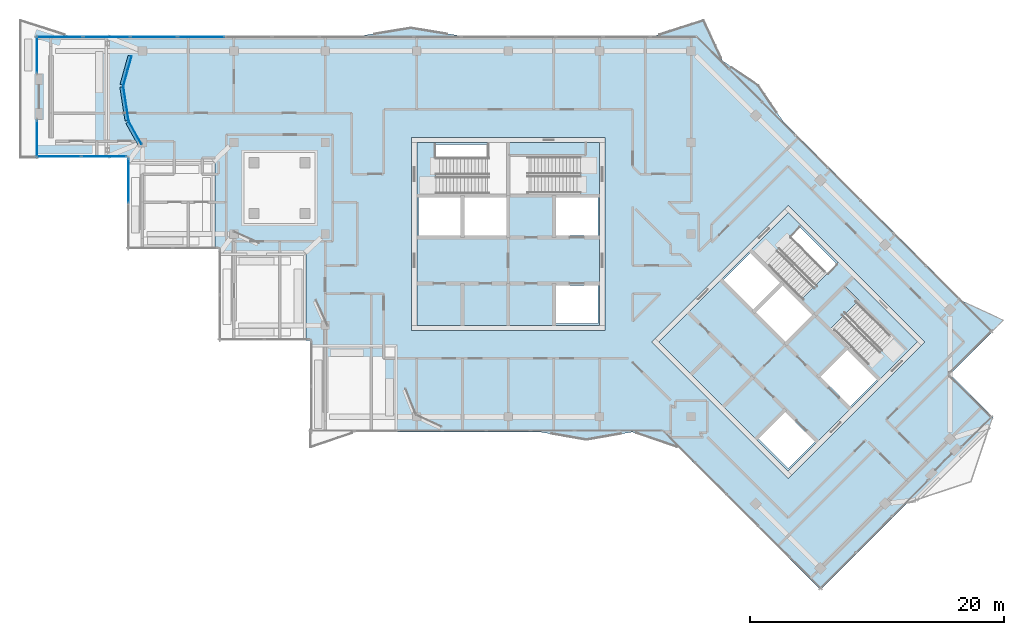
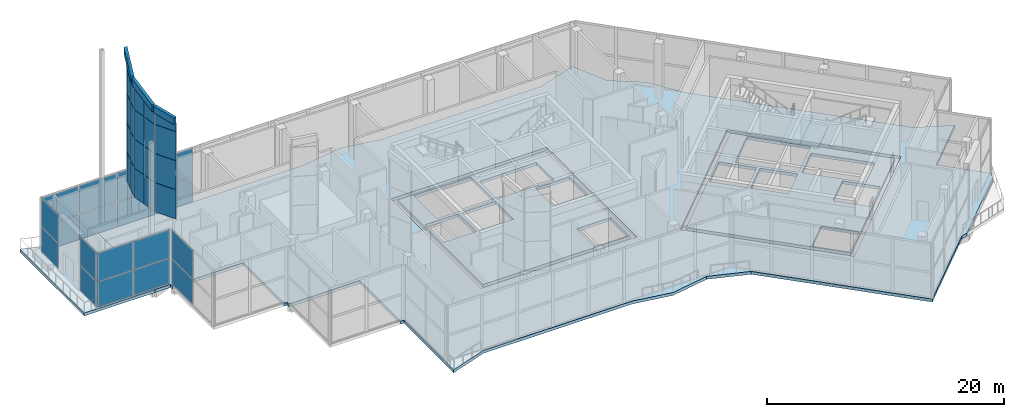
# One storey, part 10 of 19: 43 plates, 6 slabs, 14 openings, 10 elements without a shape of their own.
"""IFC4 building model written with IfcOpenShell, lengths in metres."""

import ifcopenshell
import ifcopenshell.guid

model = None  # the IFC model being written
_history = None  # IfcOwnerHistory: only IFC2X3 demands one
_inside = {}  # id of a spatial element -> (the spatial element, [elements in it])
_under = {}  # id of a project, library or spatial element -> (it, [spatial elements below it])
_declared = {}  # id of a project -> (the project, [libraries it declares])
_typed = {}  # id of a type object -> (the type object, [elements of that type])
_made_of = {}  # id of a material, layer set ... -> (it, [elements and type objects made of it])


def new_model(schema):
    """Start an empty IFC model of exactly this schema.

    Asked for "IFC4X3", IfcOpenShell would pick the latest addendum, in which some entities
    have other attributes; the version numbers below select the first issue.
    IFC2X3 requires an IfcOwnerHistory on every rooted entity: one is made here for all.
    """
    global model, _history
    if schema == "IFC4X3":
        model = ifcopenshell.file(schema_version=(4, 3, 0, 0))
    else:
        model = ifcopenshell.file(schema=schema)
    _inside.clear()
    _under.clear()
    _declared.clear()
    _typed.clear()
    _made_of.clear()
    _history = None
    if model.schema == "IFC2X3":
        org = make("IfcOrganization", Name="unknown")
        user = make(
            "IfcPersonAndOrganization",
            ThePerson=make("IfcPerson", FamilyName="unknown"),
            TheOrganization=org,
        )
        app = make(
            "IfcApplication",
            ApplicationDeveloper=org,
            Version="unknown",
            ApplicationFullName="unknown",
            ApplicationIdentifier="unknown",
        )
        _history = make(
            "IfcOwnerHistory",
            OwningUser=user,
            OwningApplication=app,
            ChangeAction="ADDED",
            CreationDate=0,
        )
    return model


def make(cls, **values):
    """One entity of the class cls with the attributes given. An attribute that is None is left unset."""
    return model.create_entity(
        cls, **{name: value for name, value in values.items() if value is not None}
    )


def rooted(cls, **values):
    """An entity with a GlobalId (a new one), such as an element, a storey or a relation."""
    return make(cls, GlobalId=ifcopenshell.guid.new(), OwnerHistory=_history, **values)


def si_unit(unit_type, name, prefix=None):
    """IfcSIUnit, for example si_unit("LENGTHUNIT", "METRE", prefix="MILLI")."""
    return make("IfcSIUnit", UnitType=unit_type, Prefix=prefix, Name=name)


def assignment(units):
    """IfcUnitAssignment: the units of a project."""
    return None if units is None else make("IfcUnitAssignment", Units=units)


def point(xyz):
    """IfcCartesianPoint."""
    return None if xyz is None else make("IfcCartesianPoint", Coordinates=xyz)


def direction(xyz):
    """IfcDirection."""
    return None if xyz is None else make("IfcDirection", DirectionRatios=xyz)


def frame(location, z_axis=None, x_axis=None):
    """IfcAxis2Placement3D, a coordinate frame: its origin and axes. An axis left out is left unset."""
    return make(
        "IfcAxis2Placement3D",
        Location=point(location),
        Axis=direction(z_axis),
        RefDirection=direction(x_axis),
    )


def frame_2d(location, x_axis=None):
    """IfcAxis2Placement2D, a coordinate frame in the plane: its origin and x axis."""
    return make(
        "IfcAxis2Placement2D", Location=point(location), RefDirection=direction(x_axis)
    )


def origin():
    """The frame at (0, 0, 0) with its axes left unset."""
    return frame((0.0, 0.0, 0.0))


def origin_2d():
    """The frame at (0, 0) in the plane with its x axis left unset."""
    return frame_2d((0.0, 0.0))


def place(relative_to, where):
    """IfcLocalPlacement: puts the frame where relative to a parent placement (None: the world)."""
    return make(
        "IfcLocalPlacement", PlacementRelTo=relative_to, RelativePlacement=where
    )


def context(
    kind, dimensions, precision=None, world=None, true_north=None, identifier=None
):
    """IfcGeometricRepresentationContext, for example the 3D "Model" context."""
    return make(
        "IfcGeometricRepresentationContext",
        ContextIdentifier=identifier,
        ContextType=kind,
        CoordinateSpaceDimension=dimensions,
        Precision=precision,
        WorldCoordinateSystem=world,
        TrueNorth=true_north,
    )


def subcontext(parent, identifier, kind, view, scale=None):
    """IfcGeometricRepresentationSubContext, for example "Body" below "Model"."""
    return make(
        "IfcGeometricRepresentationSubContext",
        ContextIdentifier=identifier,
        ContextType=kind,
        ParentContext=parent,
        TargetScale=scale,
        TargetView=view,
    )


def project(units=None, contexts=None):
    """IfcProject with its units and contexts."""
    return rooted(
        "IfcProject",
        Name="project",
        RepresentationContexts=contexts,
        UnitsInContext=assignment(units),
    )


def spatial(cls, under=None, at=None, **own):
    """A site, building, storey or space (cls), placed at a placement, below another one or the project."""
    s = rooted(cls, ObjectPlacement=at, **own)
    if under is not None:
        _under.setdefault(under.id(), (under, []))[1].append(s)
    return s


def polyline(points):
    """IfcPolyline through the points."""
    return make("IfcPolyline", Points=[point(p) for p in points])


def profile(cls, at=None, kind="AREA", **sizes):
    """A parametric profile (cls). Its sizes go by their IFC names, for example OverallWidth=200.0."""
    return make(cls, ProfileType=kind, Position=at, **sizes)


def rectangle(**sizes):
    """IfcRectangleProfileDef."""
    return profile("IfcRectangleProfileDef", **sizes)


def outline(outer, holes=None, kind="AREA"):
    """IfcArbitraryClosedProfileDef: a profile drawn as a closed curve; with holes, ...WithVoids."""
    if holes is None:
        return make("IfcArbitraryClosedProfileDef", ProfileType=kind, OuterCurve=outer)
    return make(
        "IfcArbitraryProfileDefWithVoids",
        ProfileType=kind,
        OuterCurve=outer,
        InnerCurves=holes,
    )


def extrude(swept, where, along, depth):
    """IfcExtrudedAreaSolid: the profile swept, set in the frame where, extruded along a direction by depth."""
    return make(
        "IfcExtrudedAreaSolid",
        SweptArea=swept,
        Position=where,
        ExtrudedDirection=direction(along),
        Depth=depth,
    )


def shape(context_of_items, identifier, shape_type, items):
    """IfcShapeRepresentation: the items that make up one representation, for example the "Body"."""
    return make(
        "IfcShapeRepresentation",
        ContextOfItems=context_of_items,
        RepresentationIdentifier=identifier,
        RepresentationType=shape_type,
        Items=items,
    )


def material(Name=None, Category=None):
    """IfcMaterial."""
    return make("IfcMaterial", Name=Name, Category=Category)


def layer(
    of_material, thickness, ventilated=None, Name=None, Category=None, Priority=None
):
    """IfcMaterialLayer: one layer of a wall or slab, of a material (None: an air gap)."""
    return make(
        "IfcMaterialLayer",
        Material=of_material,
        LayerThickness=thickness,
        IsVentilated=ventilated,
        Name=Name,
        Category=Category,
        Priority=Priority,
    )


def layer_set(layers, Name=None):
    """IfcMaterialLayerSet."""
    return make("IfcMaterialLayerSet", MaterialLayers=layers, LayerSetName=Name)


def made_of(thing, what):
    """Note that an element or type object is made of a material, layer set ...; save() writes the relation."""
    if what is not None:
        _made_of.setdefault(what.id(), (what, []))[1].append(thing)
    return thing


def type_object(cls, material=None, **own):
    """A type object (cls), such as IfcWallType, which elements share."""
    return made_of(rooted(cls, **own), material)


def element(
    cls,
    number,
    at=None,
    inside=None,
    cuts=None,
    type_object=None,
    material=None,
    context=None,
    identifier="Body",
    shape_type=None,
    held_by="IfcProductDefinitionShape",
    body=None,
    shapes=None,
    **own,
):
    """One element of the class cls, such as IfcWall. Its Tag is "e" and its number.

    at: its placement. inside: the storey or other place that contains it. cuts: it is an
    opening in that element (IfcRelVoidsElement). A single representation is given by context,
    identifier, shape_type and body (its items); several are given by shapes. held_by: the class
    of the entity that holds the representations. save() writes the other relations.
    """
    e = rooted(cls, Tag="e%d" % number, ObjectPlacement=at, **own)
    if body is not None:
        shapes = [shape(context, identifier, shape_type, body)]
    if shapes is not None:
        e.Representation = make(held_by, Representations=shapes)
    if inside is not None:
        _inside.setdefault(inside.id(), (inside, []))[1].append(e)
    if cuts is not None:
        rooted(
            "IfcRelVoidsElement", RelatingBuildingElement=cuts, RelatedOpeningElement=e
        )
    if type_object is not None:
        _typed.setdefault(type_object.id(), (type_object, []))[1].append(e)
    return made_of(e, material)


def aggregate(whole, parts):
    """IfcRelAggregates: a whole, such as a stair, and the parts it consists of."""
    return rooted("IfcRelAggregates", RelatingObject=whole, RelatedObjects=parts)


def save(model, path):
    """Write the relations noted so far, then the file.

    IfcRelAggregates (storeys below a building ...), IfcRelContainedInSpatialStructure (elements
    in a storey), IfcRelDefinesByType, IfcRelAssociatesMaterial and IfcRelDeclares: one each for
    every whole, place, type object, material and project.
    """
    for whole, parts in _under.values():
        aggregate(whole, parts)
    for where, things in _inside.values():
        rooted(
            "IfcRelContainedInSpatialStructure",
            RelatedElements=things,
            RelatingStructure=where,
        )
    for kind, things in _typed.values():
        rooted("IfcRelDefinesByType", RelatedObjects=things, RelatingType=kind)
    for what, things in _made_of.values():
        rooted("IfcRelAssociatesMaterial", RelatedObjects=things, RelatingMaterial=what)
    for by, libraries in _declared.values():
        rooted("IfcRelDeclares", RelatingContext=by, RelatedDefinitions=libraries)
    model.write(path)


model = new_model("IFC4")

# Units and contexts
model_context = context("Model", 3, precision=1e-05, world=origin(), true_north=direction((0.0, 1.0)))
body_context = subcontext(model_context, "Body", "Model", "MODEL_VIEW")
ifc_project = project(units=[si_unit("LENGTHUNIT", "METRE"), si_unit("AREAUNIT", "SQUARE_METRE"), si_unit("VOLUMEUNIT", "CUBIC_METRE"), si_unit("PLANEANGLEUNIT", "RADIAN"), si_unit("MASSUNIT", "GRAM", prefix="KILO")], contexts=[model_context])

# Site, building, storey
site_placement = place(None, origin())
site = spatial("IfcSite", under=ifc_project, at=site_placement, CompositionType="ELEMENT")
building_placement = place(site_placement, origin())
building = spatial("IfcBuilding", under=site, at=building_placement, Name="Windrow Commons", CompositionType="ELEMENT")
storey_placement = place(building_placement, frame((0.0, 0.0, 284.6)))
storey = spatial("IfcBuildingStorey", under=building, at=storey_placement, Name="L78", CompositionType="ELEMENT", Elevation=284.6)

# Slab, openings
ifc_material_1 = material(Name="Concrete C40/50", Category="concrete")
ifc_layer_1 = layer(ifc_material_1, 0.3)
ifc_layer_set_1 = layer_set([ifc_layer_1], Name="CORE FLOOR SLAB 300 C40/50")
slab_type_1 = type_object("IfcSlabType", Name="CORE FLOOR SLAB 300 C40/50", PredefinedType="FLOOR", material=ifc_layer_set_1)
placement_1 = place(storey_placement, frame((0.0, 0.0, -0.3)))
slab_1 = element("IfcSlab", 1, at=placement_1, inside=storey, type_object=slab_type_1, Name="S-L78-core-A", PredefinedType="FLOOR", context=body_context, shape_type="SweptSolid", body=[
    extrude(outline(polyline([(57.6, 50.4), (72.0, 50.4), (72.0, 64.8), (57.6, 64.8), (57.6, 50.4)]), holes=[polyline([(68.55, 50.55), (71.85, 50.55), (71.85, 53.55), (68.55, 53.55), (68.55, 50.55)]), polyline([(57.75, 57.45), (61.05, 57.45), (61.05, 60.45), (57.75, 60.45), (57.75, 57.45)]), polyline([(61.35, 57.45), (64.65, 57.45), (64.65, 60.45), (61.35, 60.45), (61.35, 57.45)]), polyline([(68.55, 57.45), (71.85, 57.45), (71.85, 60.45), (68.55, 60.45), (68.55, 57.45)]), polyline([(59.1, 60.75), (64.65, 60.75), (64.65, 64.65), (59.1, 64.65), (59.1, 60.75)]), polyline([(64.95, 60.75), (70.5, 60.75), (70.5, 63.705), (64.95, 63.705), (64.95, 60.75)])]), origin(), (0.0, 0.0, 1.0), 0.3),
])
opening_1_placement = place(placement_1, origin())
element("IfcOpeningElement", 2, at=opening_1_placement, cuts=slab_1, Name="Slab opening S-L78-core-A 1", PredefinedType="OPENING", context=body_context, shape_type="SweptSolid", body=[
    extrude(outline(polyline([(68.555, 50.555), (68.555, 53.545), (71.845, 53.545), (71.845, 50.555), (68.555, 50.555)])), origin(), (0.0, 0.0, 1.0), 0.3),
])
opening_2_placement = place(placement_1, origin())
element("IfcOpeningElement", 3, at=opening_2_placement, cuts=slab_1, Name="Slab opening S-L78-core-A 2", PredefinedType="OPENING", context=body_context, shape_type="SweptSolid", body=[
    extrude(outline(polyline([(57.755, 57.455), (57.755, 60.445), (61.045, 60.445), (61.045, 57.455), (57.755, 57.455)])), origin(), (0.0, 0.0, 1.0), 0.3),
])
opening_3_placement = place(placement_1, origin())
element("IfcOpeningElement", 4, at=opening_3_placement, cuts=slab_1, Name="Slab opening S-L78-core-A 3", PredefinedType="OPENING", context=body_context, shape_type="SweptSolid", body=[
    extrude(outline(polyline([(61.355, 57.455), (61.355, 60.445), (64.645, 60.445), (64.645, 57.455), (61.355, 57.455)])), origin(), (0.0, 0.0, 1.0), 0.3),
])
opening_4_placement = place(placement_1, origin())
element("IfcOpeningElement", 5, at=opening_4_placement, cuts=slab_1, Name="Slab opening S-L78-core-A 4", PredefinedType="OPENING", context=body_context, shape_type="SweptSolid", body=[
    extrude(outline(polyline([(68.555, 57.455), (68.555, 60.445), (71.845, 60.445), (71.845, 57.455), (68.555, 57.455)])), origin(), (0.0, 0.0, 1.0), 0.3),
])
opening_5_placement = place(placement_1, origin())
element("IfcOpeningElement", 6, at=opening_5_placement, cuts=slab_1, Name="Slab opening S-L78-core-A 5", PredefinedType="OPENING", context=body_context, shape_type="SweptSolid", body=[
    extrude(outline(polyline([(59.105, 60.755), (59.105, 64.645), (64.645, 64.645), (64.645, 60.755), (59.105, 60.755)])), origin(), (0.0, 0.0, 1.0), 0.3),
])
opening_6_placement = place(placement_1, origin())
element("IfcOpeningElement", 7, at=opening_6_placement, cuts=slab_1, Name="Slab opening S-L78-core-A 6", PredefinedType="OPENING", context=body_context, shape_type="SweptSolid", body=[
    extrude(outline(polyline([(64.955, 60.755), (64.955, 63.7), (70.495, 63.7), (70.495, 60.755), (64.955, 60.755)])), origin(), (0.0, 0.0, 1.0), 0.3),
])

slab_2 = element("IfcSlab", 8, at=placement_1, inside=storey, type_object=slab_type_1, Name="S-L78-core-B", PredefinedType="FLOOR", context=body_context, shape_type="SweptSolid", body=[
    extrude(outline(polyline([(76.6544, 49.0897), (86.8368, 38.9074), (97.0191, 49.0897), (86.8368, 59.2721), (76.6544, 49.0897)]), holes=[polyline([(84.5033, 41.453), (86.8368, 39.1195), (88.9581, 41.2409), (86.6246, 43.5743), (84.5033, 41.453)]), polyline([(81.7456, 53.9688), (84.079, 51.6353), (86.2004, 53.7566), (83.8669, 56.0901), (81.7456, 53.9688)]), polyline([(84.2912, 51.4232), (86.6246, 49.0897), (88.7459, 51.2111), (86.4125, 53.5445), (84.2912, 51.4232)]), polyline([(89.3823, 46.332), (91.7158, 43.9986), (93.8371, 46.1199), (91.5037, 48.4533), (89.3823, 46.332)]), polyline([(85.0336, 55.3476), (88.9581, 51.4232), (91.7158, 54.1809), (87.7913, 58.1054), (85.0336, 55.3476)]), polyline([(89.1702, 51.2111), (93.0946, 47.2866), (95.1841, 49.3761), (91.2597, 53.3006), (89.1702, 51.2111)])]), origin(), (0.0, 0.0, 1.0), 0.3),
])
opening_7_placement = place(placement_1, origin())
element("IfcOpeningElement", 9, at=opening_7_placement, cuts=slab_2, Name="Slab opening S-L78-core-B 1", PredefinedType="OPENING", context=body_context, shape_type="SweptSolid", body=[
    extrude(outline(polyline([(84.5104, 41.453), (86.6246, 43.5672), (88.951, 41.2409), (86.8368, 39.1266), (84.5104, 41.453)])), origin(), (0.0, 0.0, 1.0), 0.3),
])
opening_8_placement = place(placement_1, origin())
element("IfcOpeningElement", 10, at=opening_8_placement, cuts=slab_2, Name="Slab opening S-L78-core-B 2", PredefinedType="OPENING", context=body_context, shape_type="SweptSolid", body=[
    extrude(outline(polyline([(81.7527, 53.9688), (83.8669, 56.083), (86.1933, 53.7566), (84.079, 51.6424), (81.7527, 53.9688)])), origin(), (0.0, 0.0, 1.0), 0.3),
])
opening_9_placement = place(placement_1, origin())
element("IfcOpeningElement", 11, at=opening_9_placement, cuts=slab_2, Name="Slab opening S-L78-core-B 3", PredefinedType="OPENING", context=body_context, shape_type="SweptSolid", body=[
    extrude(outline(polyline([(84.2983, 51.4232), (86.4125, 53.5374), (88.7388, 51.2111), (86.6246, 49.0968), (84.2983, 51.4232)])), origin(), (0.0, 0.0, 1.0), 0.3),
])
opening_10_placement = place(placement_1, origin())
element("IfcOpeningElement", 12, at=opening_10_placement, cuts=slab_2, Name="Slab opening S-L78-core-B 4", PredefinedType="OPENING", context=body_context, shape_type="SweptSolid", body=[
    extrude(outline(polyline([(89.3894, 46.332), (91.5037, 48.4462), (93.83, 46.1199), (91.7158, 44.0057), (89.3894, 46.332)])), origin(), (0.0, 0.0, 1.0), 0.3),
])
opening_11_placement = place(placement_1, origin())
element("IfcOpeningElement", 13, at=opening_11_placement, cuts=slab_2, Name="Slab opening S-L78-core-B 5", PredefinedType="OPENING", context=body_context, shape_type="SweptSolid", body=[
    extrude(outline(polyline([(85.0407, 55.3476), (87.7913, 58.0983), (91.7087, 54.1809), (88.9581, 51.4303), (85.0407, 55.3476)])), origin(), (0.0, 0.0, 1.0), 0.3),
])
opening_12_placement = place(placement_1, origin())
element("IfcOpeningElement", 14, at=opening_12_placement, cuts=slab_2, Name="Slab opening S-L78-core-B 6", PredefinedType="OPENING", context=body_context, shape_type="SweptSolid", body=[
    extrude(outline(polyline([(89.1773, 51.2111), (91.2597, 53.2935), (95.177, 49.3761), (93.0946, 47.2937), (89.1773, 51.2111)])), origin(), (0.0, 0.0, 1.0), 0.3),
])

# Curtain wall, plates
ifc_material_2 = material(Name="Clear laminated glass in Aluminium 6063-T6 anodised frame", Category="aluminium")
curtain_wall_type_1 = type_object("IfcCurtainWallType", Name="Curtain wall CW3 damper floor", PredefinedType="USERDEFINED", material=ifc_material_2)
placement_2 = place(storey_placement, origin())
curtain_wall_1 = element("IfcCurtainWall", 15, at=placement_2, inside=storey, type_object=curtain_wall_type_1, Name="Curtain wall CW3 L78 5", ObjectType="STRUCTURAL SILICONE", PredefinedType="USERDEFINED")
ifc_material_3 = material(Name="Clear laminated glass", Category="glass")
ifc_layer_2 = layer(ifc_material_3, 0.036)
ifc_layer_set_2 = layer_set([ifc_layer_2], Name="CW3 panel glass 36")
plate_type_1 = type_object("IfcPlateType", Name="CW3 panel glass 36", PredefinedType="CURTAIN_PANEL", material=ifc_layer_set_2)
plate_1_placement = place(storey_placement, frame((40.6243, 73.1, 0.08), z_axis=(0.0, 0.0, 1.0), x_axis=(-1.0, 0.0, 0.0)))
plate_1 = element("IfcPlate", 16, at=plate_1_placement, type_object=plate_type_1, Name="CW3 panel 11.1", PredefinedType="CURTAIN_PANEL", context=body_context, shape_type="SweptSolid", body=[
    extrude(rectangle(XDim=3.6412, YDim=0.036, at=origin_2d()), origin(), (0.0, 0.0, 1.0), 2.58),
])
plate_2_placement = place(storey_placement, frame((40.6243, 73.1, 2.74), z_axis=(0.0, 0.0, 1.0), x_axis=(-1.0, 0.0, 0.0)))
plate_2 = element("IfcPlate", 17, at=plate_2_placement, type_object=plate_type_1, Name="CW3 panel 11.2", PredefinedType="CURTAIN_PANEL", context=body_context, shape_type="SweptSolid", body=[
    extrude(rectangle(XDim=3.6412, YDim=0.036, at=origin_2d()), origin(), (0.0, 0.0, 1.0), 2.88),
])
plate_3_placement = place(storey_placement, frame((36.9031, 73.1, 0.08), z_axis=(0.0, 0.0, 1.0), x_axis=(-1.0, 0.0, 0.0)))
plate_3 = element("IfcPlate", 18, at=plate_3_placement, type_object=plate_type_1, Name="CW3 panel 12.1", PredefinedType="CURTAIN_PANEL", context=body_context, shape_type="SweptSolid", body=[
    extrude(rectangle(XDim=3.6412, YDim=0.036, at=origin_2d()), origin(), (0.0, 0.0, 1.0), 2.58),
])
plate_4_placement = place(storey_placement, frame((36.9031, 73.1, 2.74), z_axis=(0.0, 0.0, 1.0), x_axis=(-1.0, 0.0, 0.0)))
plate_4 = element("IfcPlate", 19, at=plate_4_placement, type_object=plate_type_1, Name="CW3 panel 12.2", PredefinedType="CURTAIN_PANEL", context=body_context, shape_type="SweptSolid", body=[
    extrude(rectangle(XDim=3.6412, YDim=0.036, at=origin_2d()), origin(), (0.0, 0.0, 1.0), 2.88),
])
plate_5_placement = place(storey_placement, frame((33.1818, 73.1, 0.08), z_axis=(0.0, 0.0, 1.0), x_axis=(-1.0, 0.0, 0.0)))
plate_5 = element("IfcPlate", 20, at=plate_5_placement, type_object=plate_type_1, Name="CW3 panel 13.1", PredefinedType="CURTAIN_PANEL", context=body_context, shape_type="SweptSolid", body=[
    extrude(rectangle(XDim=3.6412, YDim=0.036, at=origin_2d()), origin(), (0.0, 0.0, 1.0), 2.58),
])
plate_6_placement = place(storey_placement, frame((33.1818, 73.1, 2.74), z_axis=(0.0, 0.0, 1.0), x_axis=(-1.0, 0.0, 0.0)))
plate_6 = element("IfcPlate", 21, at=plate_6_placement, type_object=plate_type_1, Name="CW3 panel 13.2", PredefinedType="CURTAIN_PANEL", context=body_context, shape_type="SweptSolid", body=[
    extrude(rectangle(XDim=3.6412, YDim=0.036, at=origin_2d()), origin(), (0.0, 0.0, 1.0), 2.88),
])
plate_7_placement = place(storey_placement, frame((29.4806, 73.1, 0.08), z_axis=(0.0, 0.0, 1.0), x_axis=(-1.0, 0.0, 0.0)))
plate_7 = element("IfcPlate", 22, at=plate_7_placement, type_object=plate_type_1, Name="CW3 panel 14.1", PredefinedType="CURTAIN_PANEL", context=body_context, shape_type="SweptSolid", body=[
    extrude(rectangle(XDim=3.6012, YDim=0.036, at=origin_2d()), origin(), (0.0, 0.0, 1.0), 2.58),
])
plate_8_placement = place(storey_placement, frame((29.4806, 73.1, 2.74), z_axis=(0.0, 0.0, 1.0), x_axis=(-1.0, 0.0, 0.0)))
plate_8 = element("IfcPlate", 23, at=plate_8_placement, type_object=plate_type_1, Name="CW3 panel 14.2", PredefinedType="CURTAIN_PANEL", context=body_context, shape_type="SweptSolid", body=[
    extrude(rectangle(XDim=3.6012, YDim=0.036, at=origin_2d()), origin(), (0.0, 0.0, 1.0), 2.88),
])
aggregate(curtain_wall_1, [plate_1, plate_2, plate_3, plate_4, plate_5, plate_6, plate_7, plate_8])

curtain_wall_2 = element("IfcCurtainWall", 24, at=placement_2, inside=storey, type_object=curtain_wall_type_1, Name="Curtain wall CW3 L78 6.1", ObjectType="STRUCTURAL SILICONE", PredefinedType="USERDEFINED")
plate_9_placement = place(storey_placement, frame((27.7, 71.7, 0.08), z_axis=(0.0, 0.0, 1.0), x_axis=(0.0, -1.0, 0.0)))
plate_9 = element("IfcPlate", 25, at=plate_9_placement, type_object=plate_type_1, Name="CW3 panel 1.1", PredefinedType="CURTAIN_PANEL", context=body_context, shape_type="SweptSolid", body=[
    extrude(rectangle(XDim=2.84, YDim=0.036, at=origin_2d()), origin(), (0.0, 0.0, 1.0), 2.58),
])
plate_10_placement = place(storey_placement, frame((27.7, 71.7, 2.74), z_axis=(0.0, 0.0, 1.0), x_axis=(0.0, -1.0, 0.0)))
plate_10 = element("IfcPlate", 26, at=plate_10_placement, type_object=plate_type_1, Name="CW3 panel 1.2", PredefinedType="CURTAIN_PANEL", context=body_context, shape_type="SweptSolid", body=[
    extrude(rectangle(XDim=2.84, YDim=0.036, at=origin_2d()), origin(), (0.0, 0.0, 1.0), 2.88),
])
aggregate(curtain_wall_2, [plate_9, plate_10])

curtain_wall_3 = element("IfcCurtainWall", 27, at=placement_2, inside=storey, type_object=curtain_wall_type_1, Name="Curtain wall CW3 L78 6.2", ObjectType="STRUCTURAL SILICONE", PredefinedType="USERDEFINED")
plate_11_placement = place(storey_placement, frame((27.7, 65.1, 0.08), z_axis=(0.0, 0.0, 1.0), x_axis=(0.0, -1.0, 0.0)))
plate_11 = element("IfcPlate", 28, at=plate_11_placement, type_object=plate_type_1, Name="CW3 panel 1.1", PredefinedType="CURTAIN_PANEL", context=body_context, shape_type="SweptSolid", body=[
    extrude(rectangle(XDim=2.84, YDim=0.036, at=origin_2d()), origin(), (0.0, 0.0, 1.0), 2.58),
])
plate_12_placement = place(storey_placement, frame((27.7, 65.1, 2.74), z_axis=(0.0, 0.0, 1.0), x_axis=(0.0, -1.0, 0.0)))
plate_12 = element("IfcPlate", 29, at=plate_12_placement, type_object=plate_type_1, Name="CW3 panel 1.2", PredefinedType="CURTAIN_PANEL", context=body_context, shape_type="SweptSolid", body=[
    extrude(rectangle(XDim=2.84, YDim=0.036, at=origin_2d()), origin(), (0.0, 0.0, 1.0), 2.88),
])
aggregate(curtain_wall_3, [plate_11, plate_12])

curtain_wall_4 = element("IfcCurtainWall", 30, at=placement_2, inside=storey, type_object=curtain_wall_type_1, Name="Curtain wall CW3 L78 7", ObjectType="STRUCTURAL SILICONE", PredefinedType="USERDEFINED")
plate_13_placement = place(storey_placement, frame((29.42, 63.7, 0.08), z_axis=(0.0, 0.0, 1.0), x_axis=(1.0, 0.0, 0.0)))
plate_13 = element("IfcPlate", 31, at=plate_13_placement, type_object=plate_type_1, Name="CW3 panel 1.1", PredefinedType="CURTAIN_PANEL", context=body_context, shape_type="SweptSolid", body=[
    extrude(rectangle(XDim=3.48, YDim=0.036, at=origin_2d()), origin(), (0.0, 0.0, 1.0), 2.58),
])
plate_14_placement = place(storey_placement, frame((29.42, 63.7, 2.74), z_axis=(0.0, 0.0, 1.0), x_axis=(1.0, 0.0, 0.0)))
plate_14 = element("IfcPlate", 32, at=plate_14_placement, type_object=plate_type_1, Name="CW3 panel 1.2", PredefinedType="CURTAIN_PANEL", context=body_context, shape_type="SweptSolid", body=[
    extrude(rectangle(XDim=3.48, YDim=0.036, at=origin_2d()), origin(), (0.0, 0.0, 1.0), 2.88),
])
plate_15_placement = place(storey_placement, frame((32.98, 63.7, 0.08), z_axis=(0.0, 0.0, 1.0), x_axis=(1.0, 0.0, 0.0)))
plate_15 = element("IfcPlate", 33, at=plate_15_placement, type_object=plate_type_1, Name="CW3 panel 2.1", PredefinedType="CURTAIN_PANEL", context=body_context, shape_type="SweptSolid", body=[
    extrude(rectangle(XDim=3.48, YDim=0.036, at=origin_2d()), origin(), (0.0, 0.0, 1.0), 2.58),
])
plate_16_placement = place(storey_placement, frame((32.98, 63.7, 2.74), z_axis=(0.0, 0.0, 1.0), x_axis=(1.0, 0.0, 0.0)))
plate_16 = element("IfcPlate", 34, at=plate_16_placement, type_object=plate_type_1, Name="CW3 panel 2.2", PredefinedType="CURTAIN_PANEL", context=body_context, shape_type="SweptSolid", body=[
    extrude(rectangle(XDim=3.48, YDim=0.036, at=origin_2d()), origin(), (0.0, 0.0, 1.0), 2.88),
])
aggregate(curtain_wall_4, [plate_13, plate_14, plate_15, plate_16])

curtain_wall_5 = element("IfcCurtainWall", 35, at=placement_2, inside=storey, type_object=curtain_wall_type_1, Name="Curtain wall CW3 L78 8", ObjectType="STRUCTURAL SILICONE", PredefinedType="USERDEFINED")
plate_17_placement = place(storey_placement, frame((34.9, 61.78, 0.08), z_axis=(0.0, 0.0, 1.0), x_axis=(0.0, -1.0, 0.0)))
plate_17 = element("IfcPlate", 36, at=plate_17_placement, type_object=plate_type_1, Name="CW3 panel 1.1", PredefinedType="CURTAIN_PANEL", context=body_context, shape_type="SweptSolid", body=[
    extrude(rectangle(XDim=3.48, YDim=0.036, at=origin_2d()), origin(), (0.0, 0.0, 1.0), 2.58),
])
plate_18_placement = place(storey_placement, frame((34.9, 61.78, 2.74), z_axis=(0.0, 0.0, 1.0), x_axis=(0.0, -1.0, 0.0)))
plate_18 = element("IfcPlate", 37, at=plate_18_placement, type_object=plate_type_1, Name="CW3 panel 1.2", PredefinedType="CURTAIN_PANEL", context=body_context, shape_type="SweptSolid", body=[
    extrude(rectangle(XDim=3.48, YDim=0.036, at=origin_2d()), origin(), (0.0, 0.0, 1.0), 2.88),
])
aggregate(curtain_wall_5, [plate_17, plate_18])

# Stair, slab
ifc_material_4 = material(Name="Concrete C40/50", Category="concrete")
stair_type = type_object("IfcStairType", Name="Core stair", PredefinedType="HALF_TURN_STAIR", material=ifc_material_4)
stair_1 = element("IfcStair", 38, at=placement_2, inside=storey, type_object=stair_type, Name="L78 Exit stair B1 core B", PredefinedType="HALF_TURN_STAIR")
ifc_material_5 = material(Name="Concrete C40/50", Category="concrete")
ifc_layer_3 = layer(ifc_material_5, 0.2)
ifc_layer_set_3 = layer_set([ifc_layer_3], Name="Core stair landing")
slab_type_2 = type_object("IfcSlabType", Name="Core stair landing", PredefinedType="LANDING", material=ifc_layer_set_3)
placement_3 = place(storey_placement, frame((0.0, 0.0, 2.8)))
slab_3 = element("IfcSlab", 39, at=placement_3, type_object=slab_type_2, Name="ST-B1 landing 1", PredefinedType="LANDING", context=body_context, shape_type="SweptSolid", body=[
    extrude(outline(polyline([(87.7419, 52.2859), (88.8874, 51.1403), (91.9986, 54.2516), (90.8531, 55.3971), (87.7419, 52.2859)])), origin(), (0.0, 0.0, 1.0), 0.2),
])
aggregate(stair_1, [slab_3])

stair_2 = element("IfcStair", 40, at=placement_2, inside=storey, type_object=stair_type, Name="L78 Exit stair B2 core B", PredefinedType="HALF_TURN_STAIR")
slab_4 = element("IfcSlab", 41, at=placement_3, type_object=slab_type_2, Name="ST-B2 landing 1", PredefinedType="LANDING", context=body_context, shape_type="SweptSolid", body=[
    extrude(outline(polyline([(88.8874, 51.1403), (90.0329, 49.9948), (92.4052, 52.3671), (91.2597, 53.5127), (88.8874, 51.1403)])), origin(), (0.0, 0.0, 1.0), 0.2),
])
aggregate(stair_2, [slab_4])

# Plates
ifc_material_6 = material(Name="Precast concrete C40/50", Category="concrete")
ifc_layer_4 = layer(ifc_material_6, 0.3)
ifc_layer_set_4 = layer_set([ifc_layer_4], Name="Crown eave fascia 300")
plate_type_2 = type_object("IfcPlateType", Name="Crown eave fascia 300", PredefinedType="SHEET", material=ifc_layer_set_4)
plate_19_placement = place(storey_placement, frame((35.9297, 64.6989, 15.5614), z_axis=(0.8740505552, 0.4858349791, 0.0), x_axis=(-0.470695603, 0.846813776, 0.2476935165)))
element("IfcPlate", 42, at=plate_19_placement, inside=storey, type_object=plate_type_2, Name="Crown eave fascia", PredefinedType="SHEET", context=body_context, shape_type="SweptSolid", body=[
    extrude(outline(polyline([(0.0, 0.0), (2.0533, 0.0), (2.2267, 0.6782), (0.1734, 0.6782), (0.0, 0.0)])), origin(), (0.0, 0.0, -1.0), 0.3),
])
plate_20_placement = place(storey_placement, frame((34.9313, 66.5308, 16.1056), z_axis=(0.9883527542, 0.1521802659, 0.0), x_axis=(-0.138441406, 0.8991241022, 0.4152226221)))
element("IfcPlate", 43, at=plate_20_placement, inside=storey, type_object=plate_type_2, Name="Crown eave fascia", PredefinedType="SHEET", context=body_context, shape_type="SweptSolid", body=[
    extrude(outline(polyline([(0.0, 0.0), (2.9529, 0.0), (3.2435, 0.6368), (0.2907, 0.6368), (0.0, 0.0)])), origin(), (0.0, 0.0, -1.0), 0.3),
])
plate_21_placement = place(storey_placement, frame((34.5283, 69.2834, 17.3856), z_axis=(0.9633628899, -0.2682013095, 0.0), x_axis=(0.2279057694, 0.8186237459, 0.5271756092)))
element("IfcPlate", 44, at=plate_21_placement, inside=storey, type_object=plate_type_2, Name="Crown eave fascia", PredefinedType="SHEET", context=body_context, shape_type="SweptSolid", body=[
    extrude(outline(polyline([(0.0, 0.0), (2.7871, 0.0), (3.1561, 0.5948), (0.369, 0.5948), (0.0, 0.0)])), origin(), (0.0, 0.0, -1.0), 0.3),
])

# Curtain wall, plates
ifc_material_7 = material(Name="Laminated glass in anodised aluminium frame", Category="aluminium")
curtain_wall_type_2 = type_object("IfcCurtainWallType", Name="Curtain wall crown terrace screen", PredefinedType="USERDEFINED", material=ifc_material_7)
curtain_wall_6 = element("IfcCurtainWall", 45, at=placement_2, inside=storey, type_object=curtain_wall_type_2, Name="Glazed crown screen L78", ObjectType="STICK", PredefinedType="USERDEFINED")
ifc_material_8 = material(Name="Laminated glass in aluminium frame", Category="aluminium")
ifc_layer_5 = layer(ifc_material_8, 0.03)
ifc_layer_set_5 = layer_set([ifc_layer_5], Name="Crown screen glazing 2400")
plate_type_3 = type_object("IfcPlateType", Name="Crown screen glazing 2400", PredefinedType="SHEET", material=ifc_layer_set_5)
plate_22_placement = place(storey_placement, frame((35.9394, 64.6815, 5.7), z_axis=(0.8740503302, 0.485835384, 0.0), x_axis=(-0.485835384, 0.8740503302, 0.0)))
plate_22 = element("IfcPlate", 46, at=plate_22_placement, type_object=plate_type_3, Name="Crown screen glazing L78", PredefinedType="SHEET", context=body_context, shape_type="SweptSolid", body=[
    extrude(outline(polyline([(0.0, 0.0), (2.0293, 0.0), (2.0293, 3.0), (0.0, 3.0), (0.0, 0.0)])), origin(), (0.0, 0.0, -1.0), 0.03),
])
plate_23_placement = place(storey_placement, frame((35.9394, 64.6815, 8.72), z_axis=(0.8740503302, 0.485835384, 0.0), x_axis=(-0.485835384, 0.8740503302, 0.0)))
plate_23 = element("IfcPlate", 47, at=plate_23_placement, type_object=plate_type_3, Name="Crown screen glazing L78", PredefinedType="SHEET", context=body_context, shape_type="SweptSolid", body=[
    extrude(outline(polyline([(0.0, 0.0), (2.0293, 0.0), (2.0293, 2.98), (0.0, 2.98), (0.0, 0.0)])), origin(), (0.0, 0.0, -1.0), 0.03),
])
plate_24_placement = place(storey_placement, frame((35.9394, 64.6815, 11.72), z_axis=(0.8740503302, 0.485835384, 0.0), x_axis=(-0.485835384, 0.8740503302, 0.0)))
plate_24 = element("IfcPlate", 48, at=plate_24_placement, type_object=plate_type_3, Name="Crown screen glazing L78", PredefinedType="SHEET", context=body_context, shape_type="SweptSolid", body=[
    extrude(outline(polyline([(0.0, 0.0), (2.0293, 0.0), (2.0293, 2.98), (0.0, 2.98), (0.0, 0.0)])), origin(), (0.0, 0.0, -1.0), 0.03),
])
plate_25_placement = place(storey_placement, frame((35.9394, 64.6815, 14.72), z_axis=(0.8740503302, 0.485835384, 0.0), x_axis=(-0.485835384, 0.8740503302, 0.0)))
plate_25 = element("IfcPlate", 49, at=plate_25_placement, type_object=plate_type_3, Name="Crown screen glazing L78", PredefinedType="SHEET", context=body_context, shape_type="SweptSolid", body=[
    extrude(outline(polyline([(0.0, 0.0), (2.0293, 0.0), (2.0293, 1.3428), (0.0, 0.8086), (0.0, 0.0)])), origin(), (0.0, 0.0, -1.0), 0.03),
])
aggregate(curtain_wall_6, [plate_22, plate_23, plate_24, plate_25])

curtain_wall_7 = element("IfcCurtainWall", 50, at=placement_2, inside=storey, type_object=curtain_wall_type_2, Name="Glazed crown screen L78", ObjectType="STICK", PredefinedType="USERDEFINED")
plate_26_placement = place(storey_placement, frame((34.9344, 66.5111, 5.7), z_axis=(0.988350008, 0.1521981001, 0.0), x_axis=(-0.1521981001, 0.988350008, 0.0)))
plate_26 = element("IfcPlate", 51, at=plate_26_placement, type_object=plate_type_3, Name="Crown screen glazing L78", PredefinedType="SHEET", context=body_context, shape_type="SweptSolid", body=[
    extrude(outline(polyline([(0.0, 0.0), (1.3331, 0.0), (1.3331, 3.0), (0.0, 3.0), (0.0, 0.0)])), origin(), (0.0, 0.0, -1.0), 0.03),
])
plate_27_placement = place(storey_placement, frame((34.9344, 66.5111, 8.72), z_axis=(0.988350008, 0.1521981001, 0.0), x_axis=(-0.1521981001, 0.988350008, 0.0)))
plate_27 = element("IfcPlate", 52, at=plate_27_placement, type_object=plate_type_3, Name="Crown screen glazing L78", PredefinedType="SHEET", context=body_context, shape_type="SweptSolid", body=[
    extrude(outline(polyline([(0.0, 0.0), (1.3331, 0.0), (1.3331, 2.98), (0.0, 2.98), (0.0, 0.0)])), origin(), (0.0, 0.0, -1.0), 0.03),
])
plate_28_placement = place(storey_placement, frame((34.9344, 66.5111, 11.72), z_axis=(0.988350008, 0.1521981001, 0.0), x_axis=(-0.1521981001, 0.988350008, 0.0)))
plate_28 = element("IfcPlate", 53, at=plate_28_placement, type_object=plate_type_3, Name="Crown screen glazing L78", PredefinedType="SHEET", context=body_context, shape_type="SweptSolid", body=[
    extrude(outline(polyline([(0.0, 0.0), (1.3331, 0.0), (1.3331, 2.98), (0.0, 2.98), (0.0, 0.0)])), origin(), (0.0, 0.0, -1.0), 0.03),
])
plate_29_placement = place(storey_placement, frame((34.9344, 66.5111, 14.72), z_axis=(0.988350008, 0.1521981001, 0.0), x_axis=(-0.1521981001, 0.988350008, 0.0)))
plate_29 = element("IfcPlate", 54, at=plate_29_placement, type_object=plate_type_3, Name="Crown screen glazing L78", PredefinedType="SHEET", context=body_context, shape_type="SweptSolid", body=[
    extrude(outline(polyline([(0.0, 0.0), (1.3331, 0.0), (1.3331, 1.9787), (0.0, 1.3428), (0.0, 0.0)])), origin(), (0.0, 0.0, -1.0), 0.03),
])
plate_30_placement = place(storey_placement, frame((34.7223, 67.888, 5.7), z_axis=(0.988350008, 0.1521981001, 0.0), x_axis=(-0.1521981001, 0.988350008, 0.0)))
plate_30 = element("IfcPlate", 55, at=plate_30_placement, type_object=plate_type_3, Name="Crown screen glazing L78", PredefinedType="SHEET", context=body_context, shape_type="SweptSolid", body=[
    extrude(outline(polyline([(0.0, 0.0), (1.3331, 0.0), (1.3331, 3.0), (0.0, 3.0), (0.0, 0.0)])), origin(), (0.0, 0.0, -1.0), 0.03),
])
plate_31_placement = place(storey_placement, frame((34.7223, 67.888, 8.72), z_axis=(0.988350008, 0.1521981001, 0.0), x_axis=(-0.1521981001, 0.988350008, 0.0)))
plate_31 = element("IfcPlate", 56, at=plate_31_placement, type_object=plate_type_3, Name="Crown screen glazing L78", PredefinedType="SHEET", context=body_context, shape_type="SweptSolid", body=[
    extrude(outline(polyline([(0.0, 0.0), (1.3331, 0.0), (1.3331, 2.98), (0.0, 2.98), (0.0, 0.0)])), origin(), (0.0, 0.0, -1.0), 0.03),
])
plate_32_placement = place(storey_placement, frame((34.7223, 67.888, 11.72), z_axis=(0.988350008, 0.1521981001, 0.0), x_axis=(-0.1521981001, 0.988350008, 0.0)))
plate_32 = element("IfcPlate", 57, at=plate_32_placement, type_object=plate_type_3, Name="Crown screen glazing L78", PredefinedType="SHEET", context=body_context, shape_type="SweptSolid", body=[
    extrude(outline(polyline([(0.0, 0.0), (1.3331, 0.0), (1.3331, 2.98), (0.0, 2.98), (0.0, 0.0)])), origin(), (0.0, 0.0, -1.0), 0.03),
])
plate_33_placement = place(storey_placement, frame((34.7223, 67.888, 14.72), z_axis=(0.988350008, 0.1521981001, 0.0), x_axis=(-0.1521981001, 0.988350008, 0.0)))
plate_33 = element("IfcPlate", 58, at=plate_33_placement, type_object=plate_type_3, Name="Crown screen glazing L78", PredefinedType="SHEET", context=body_context, shape_type="SweptSolid", body=[
    extrude(outline(polyline([(0.0, 0.0), (1.3331, 0.0), (1.3331, 2.6145), (0.0, 1.9787), (0.0, 0.0)])), origin(), (0.0, 0.0, -1.0), 0.03),
])
aggregate(curtain_wall_7, [plate_26, plate_27, plate_28, plate_29, plate_30, plate_31, plate_32, plate_33])

curtain_wall_8 = element("IfcCurtainWall", 59, at=placement_2, inside=storey, type_object=curtain_wall_type_2, Name="Glazed crown screen L78", ObjectType="STICK", PredefinedType="USERDEFINED")
plate_34_placement = place(storey_placement, frame((34.5229, 69.2641, 5.7), z_axis=(0.9633689076, -0.2681796932, 0.0), x_axis=(0.2681796932, 0.9633689076, 0.0)))
plate_34 = element("IfcPlate", 60, at=plate_34_placement, type_object=plate_type_3, Name="Crown screen glazing L78", PredefinedType="SHEET", context=body_context, shape_type="SweptSolid", body=[
    extrude(outline(polyline([(0.0, 0.0), (1.1742, 0.0), (1.1742, 3.0), (0.0, 3.0), (0.0, 0.0)])), origin(), (0.0, 0.0, -1.0), 0.03),
])
plate_35_placement = place(storey_placement, frame((34.5229, 69.2641, 8.72), z_axis=(0.9633689076, -0.2681796932, 0.0), x_axis=(0.2681796932, 0.9633689076, 0.0)))
plate_35 = element("IfcPlate", 61, at=plate_35_placement, type_object=plate_type_3, Name="Crown screen glazing L78", PredefinedType="SHEET", context=body_context, shape_type="SweptSolid", body=[
    extrude(outline(polyline([(0.0, 0.0), (1.1742, 0.0), (1.1742, 2.98), (0.0, 2.98), (0.0, 0.0)])), origin(), (0.0, 0.0, -1.0), 0.03),
])
plate_36_placement = place(storey_placement, frame((34.5229, 69.2641, 11.72), z_axis=(0.9633689076, -0.2681796932, 0.0), x_axis=(0.2681796932, 0.9633689076, 0.0)))
plate_36 = element("IfcPlate", 62, at=plate_36_placement, type_object=plate_type_3, Name="Crown screen glazing L78", PredefinedType="SHEET", context=body_context, shape_type="SweptSolid", body=[
    extrude(outline(polyline([(0.0, 0.0), (1.1742, 0.0), (1.1742, 2.98), (0.0, 2.98), (0.0, 0.0)])), origin(), (0.0, 0.0, -1.0), 0.03),
])
plate_37_placement = place(storey_placement, frame((34.5229, 69.2641, 14.72), z_axis=(0.9633689076, -0.2681796932, 0.0), x_axis=(0.2681796932, 0.9633689076, 0.0)))
plate_37 = element("IfcPlate", 63, at=plate_37_placement, type_object=plate_type_3, Name="Crown screen glazing L78", PredefinedType="SHEET", context=body_context, shape_type="SweptSolid", body=[
    extrude(outline(polyline([(0.0, 0.0), (1.1742, 0.0), (1.1742, 2.98), (0.0, 2.6145), (0.0, 0.0)])), origin(), (0.0, 0.0, -1.0), 0.03),
])
plate_38_placement = place(storey_placement, frame((34.5229, 69.2641, 17.72), z_axis=(0.9633689076, -0.2681796932, 0.0), x_axis=(0.2681796932, 0.9633689076, 0.0)))
plate_38 = element("IfcPlate", 64, at=plate_38_placement, type_object=plate_type_3, Name="Crown screen glazing L78", PredefinedType="SHEET", context=body_context, shape_type="SweptSolid", body=[
    extrude(outline(polyline([(0.0, 0.0), (1.1742, 0.0), (1.1742, 0.3802), (0.0, 0.0)])), origin(), (0.0, 0.0, -1.0), 0.03),
])
plate_39_placement = place(storey_placement, frame((34.8539, 70.4531, 5.7), z_axis=(0.9633627819, -0.2682016975, 0.0), x_axis=(0.2682016975, 0.9633627819, 0.0)))
plate_39 = element("IfcPlate", 65, at=plate_39_placement, type_object=plate_type_3, Name="Crown screen glazing L78", PredefinedType="SHEET", context=body_context, shape_type="SweptSolid", body=[
    extrude(outline(polyline([(0.0, 0.0), (1.1741, 0.0), (1.1741, 3.0), (0.0, 3.0), (0.0, 0.0)])), origin(), (0.0, 0.0, -1.0), 0.03),
])
plate_40_placement = place(storey_placement, frame((34.8539, 70.4531, 8.72), z_axis=(0.9633627819, -0.2682016975, 0.0), x_axis=(0.2682016975, 0.9633627819, 0.0)))
plate_40 = element("IfcPlate", 66, at=plate_40_placement, type_object=plate_type_3, Name="Crown screen glazing L78", PredefinedType="SHEET", context=body_context, shape_type="SweptSolid", body=[
    extrude(outline(polyline([(0.0, 0.0), (1.1741, 0.0), (1.1741, 2.98), (0.0, 2.98), (0.0, 0.0)])), origin(), (0.0, 0.0, -1.0), 0.03),
])
plate_41_placement = place(storey_placement, frame((34.8539, 70.4531, 11.72), z_axis=(0.9633627819, -0.2682016975, 0.0), x_axis=(0.2682016975, 0.9633627819, 0.0)))
plate_41 = element("IfcPlate", 67, at=plate_41_placement, type_object=plate_type_3, Name="Crown screen glazing L78", PredefinedType="SHEET", context=body_context, shape_type="SweptSolid", body=[
    extrude(outline(polyline([(0.0, 0.0), (1.1741, 0.0), (1.1741, 2.98), (0.0, 2.98), (0.0, 0.0)])), origin(), (0.0, 0.0, -1.0), 0.03),
])
plate_42_placement = place(storey_placement, frame((34.8539, 70.4531, 14.72), z_axis=(0.9633627819, -0.2682016975, 0.0), x_axis=(0.2682016975, 0.9633627819, 0.0)))
plate_42 = element("IfcPlate", 68, at=plate_42_placement, type_object=plate_type_3, Name="Crown screen glazing L78", PredefinedType="SHEET", context=body_context, shape_type="SweptSolid", body=[
    extrude(outline(polyline([(0.0, 0.0), (1.1741, 0.0), (1.1741, 2.98), (0.0, 2.98), (0.0, 0.0)])), origin(), (0.0, 0.0, -1.0), 0.03),
])
plate_43_placement = place(storey_placement, frame((34.8539, 70.4531, 17.72), z_axis=(0.9633627819, -0.2682016975, 0.0), x_axis=(0.2682016975, 0.9633627819, 0.0)))
plate_43 = element("IfcPlate", 69, at=plate_43_placement, type_object=plate_type_3, Name="Crown screen glazing L78", PredefinedType="SHEET", context=body_context, shape_type="SweptSolid", body=[
    extrude(outline(polyline([(0.0, 0.0), (1.1741, 0.0), (1.1741, 1.1459), (0.0, 0.3802), (0.0, 0.0)])), origin(), (0.0, 0.0, -1.0), 0.03),
])
aggregate(curtain_wall_8, [plate_34, plate_35, plate_36, plate_37, plate_38, plate_39, plate_40, plate_41, plate_42, plate_43])

# Slab, openings
ifc_material_9 = material(Name="Concrete C40/50", Category="concrete")
ifc_layer_6 = layer(ifc_material_9, 0.3)
ifc_layer_set_6 = layer_set([ifc_layer_6], Name="FLOOR SLAB 300 C40/50")
slab_type_3 = type_object("IfcSlabType", Name="FLOOR SLAB 300 C40/50", PredefinedType="FLOOR", material=ifc_layer_set_6)
slab_5 = element("IfcSlab", 70, at=placement_1, inside=storey, type_object=slab_type_3, Name="S-L78-floor", PredefinedType="FLOOR", context=body_context, shape_type="SweptSolid", body=[
    extrude(outline(polyline([(48.9, 56.1), (48.9, 49.2), (49.2, 49.2), (49.2, 40.767), (52.8236, 42.0), (67.3181, 42.0), (70.9417, 41.367), (74.5653, 42.0), (78.1889, 40.767), (89.3823, 29.5736), (96.1705, 36.3618), (96.8069, 36.5739), (102.7467, 42.5136), (102.9588, 43.15), (99.5647, 46.5442), (103.8285, 50.808), (100.5963, 52.3008), (91.1463, 61.7508), (86.4213, 66.4758), (84.5043, 69.2837), (81.6963, 71.2008), (80.2036, 74.433), (76.3581, 73.2), (60.9762, 73.2), (57.1308, 73.833), (53.2853, 73.2), (33.267, 73.2), (33.267, 63.6), (34.8, 63.6), (34.8, 63.3), (41.7, 63.3), (41.7, 56.4), (42.0, 56.4), (42.0, 56.1), (48.9, 56.1)]), holes=[polyline([(76.0887, 49.0897), (86.8368, 59.8378), (97.5848, 49.0897), (86.8368, 38.3417), (76.0887, 49.0897)]), polyline([(57.2, 50.0), (57.2, 65.2), (72.4, 65.2), (72.4, 50.0), (57.2, 50.0)])]), origin(), (0.0, 0.0, 1.0), 0.3),
])
opening_13_placement = place(placement_1, origin())
element("IfcOpeningElement", 71, at=opening_13_placement, cuts=slab_5, Name="Slab opening S-L78-floor 1", PredefinedType="OPENING", context=body_context, shape_type="SweptSolid", body=[
    extrude(outline(polyline([(76.0958, 49.0897), (86.8368, 59.8307), (97.5777, 49.0897), (86.8368, 38.3488), (76.0958, 49.0897)])), origin(), (0.0, 0.0, 1.0), 0.3),
])
opening_14_placement = place(placement_1, origin())
element("IfcOpeningElement", 72, at=opening_14_placement, cuts=slab_5, Name="Slab opening S-L78-floor 2", PredefinedType="OPENING", context=body_context, shape_type="SweptSolid", body=[
    extrude(outline(polyline([(57.205, 50.005), (57.205, 65.195), (72.395, 65.195), (72.395, 50.005), (57.205, 50.005)])), origin(), (0.0, 0.0, 1.0), 0.3),
])

# Slab
ifc_material_10 = material(Name="Concrete C40/50", Category="concrete")
ifc_layer_7 = layer(ifc_material_10, 0.3)
ifc_layer_set_7 = layer_set([ifc_layer_7], Name="TERRACE SLAB 300 C40/50")
slab_type_4 = type_object("IfcSlabType", Name="TERRACE SLAB 300 C40/50", PredefinedType="FLOOR", material=ifc_layer_set_7)
element("IfcSlab", 73, at=placement_1, inside=storey, type_object=slab_type_4, Name="Terrace slab TR-L78-1", PredefinedType="FLOOR", context=body_context, shape_type="SweptSolid", body=[
    extrude(outline(polyline([(33.267, 73.2), (30.2125, 73.2), (26.367, 74.433), (26.367, 63.6), (33.267, 63.6), (33.267, 73.2)])), origin(), (0.0, 0.0, 1.0), 0.3),
])

save(model, "model.ifc")
